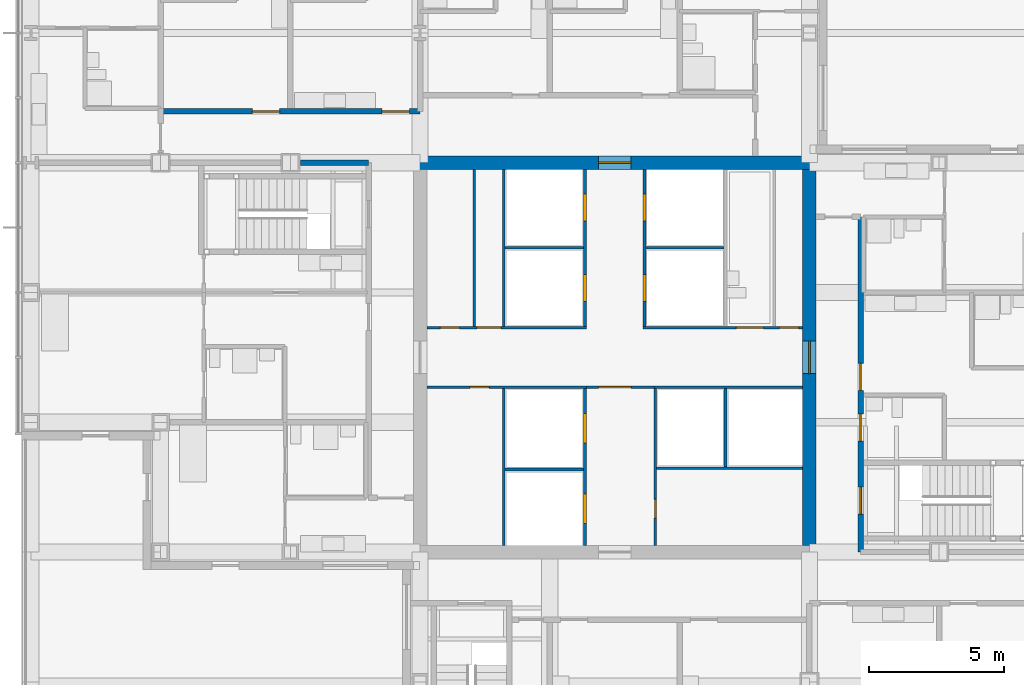
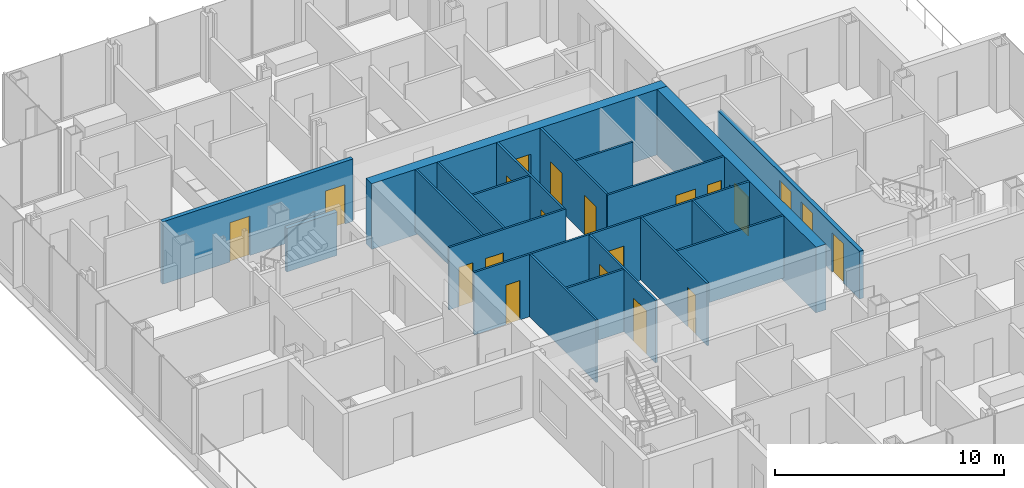
# One storey, part 13 of 19: 22 walls, 20 doors, 20 openings.
"""IFC4 building model written with IfcOpenShell, lengths in metres."""

from ifc_helpers import new_model, si_unit, direction, frame, frame_2d, origin, place, context, subcontext, project, spatial, rectangle, extrude, material, layer, layer_set, type_object, element, fill, save


model = new_model("IFC4")

# Units and contexts
model_context = context("Model", 3, precision=1e-05, world=origin(), true_north=direction((0.0, 1.0)))
body_context = subcontext(model_context, "Body", "Model", "MODEL_VIEW")
ifc_project = project(units=[si_unit("LENGTHUNIT", "METRE"), si_unit("AREAUNIT", "SQUARE_METRE"), si_unit("VOLUMEUNIT", "CUBIC_METRE"), si_unit("PLANEANGLEUNIT", "RADIAN"), si_unit("MASSUNIT", "GRAM", prefix="KILO")], contexts=[model_context])

# Site, building, storey
site_placement = place(None, origin())
site = spatial("IfcSite", under=ifc_project, at=site_placement, CompositionType="ELEMENT")
building_placement = place(site_placement, origin())
building = spatial("IfcBuilding", under=site, at=building_placement, Name="Kvirike Care Tower", CompositionType="ELEMENT")
storey_placement = place(building_placement, frame((0.0, 0.0, 84.0)))
storey = spatial("IfcBuildingStorey", under=building, at=storey_placement, Name="L22", CompositionType="ELEMENT", Elevation=84.0)

# Wall, opening, door
ifc_material_1 = material(Name="Concrete C50/60", Category="concrete")
ifc_layer_1 = layer(ifc_material_1, 0.5)
ifc_layer_set_1 = layer_set([ifc_layer_1], Name="CORE WALL 500 C50-60")
wall_type_1 = type_object("IfcWallType", Name="CORE WALL 500 C50-60", PredefinedType="SHEAR", material=ifc_layer_set_1)
wall_1_placement = place(storey_placement, frame((29.050048828125, 43.199951171875, -0.169921875), z_axis=(0.0, 0.0, 1.0), x_axis=(-1.0, 0.0, 0.0)))
wall_1 = element("IfcWall", 1, at=wall_1_placement, inside=storey, type_object=wall_type_1, Name="Core wall N L22", PredefinedType="SHEAR", context=body_context, shape_type="SweptSolid", body=[
    extrude(rectangle(XDim=14.900146484375, YDim=0.5, at=frame_2d((7.4501953125, 0.0))), origin(), (0.0, 0.0, 1.0), 3.5),
])
opening_1_placement = place(wall_1_placement, frame((6.85009765625, 0.0, 0.169921875)))
opening_1 = element("IfcOpeningElement", 2, at=opening_1_placement, cuts=wall_1, Name="Opening 22-070", PredefinedType="OPENING", context=body_context, shape_type="SweptSolid", body=[
    extrude(rectangle(XDim=1.199951171875, YDim=2.10009765625, at=frame_2d((0.60009765625, 1.050048828125))), frame((0.0, 0.260498046875, 0.0), z_axis=(0.0, -1.0, 0.0), x_axis=(1.0, 0.0, 0.0)), (0.0, 0.0, 1.0), 0.52099609375),
])
ifc_material_2 = material(Name="Timber door set", Category="wood")
door_type_1 = type_object("IfcDoorType", Name="CORE DOOR 1200", OperationType="SINGLE_SWING_LEFT", PredefinedType="DOOR", material=ifc_material_2)
door_1_placement = place(opening_1_placement, origin())
door_1 = element("IfcDoor", 3, at=door_1_placement, inside=storey, type_object=door_type_1, Name="Core door N L22", OperationType="SINGLE_SWING_LEFT", OverallHeight=2.10009765625, OverallWidth=1.199951171875, PredefinedType="DOOR", context=body_context, shape_type="SweptSolid", body=[
    extrude(rectangle(XDim=1.199951171875, YDim=2.10009765625, at=frame_2d((0.60009765625, 1.050048828125))), frame((0.0, 0.02685546875, 0.0), z_axis=(0.0, -1.0, 0.0), x_axis=(1.0, 0.0, 0.0)), (0.0, 0.0, 1.0), 0.053955078125),
])
fill(opening_1, door_1)

wall_2_placement = place(storey_placement, frame((28.800048828125, 29.050048828125, -0.169921875), z_axis=(0.0, 0.0, 1.0), x_axis=(0.0, 1.0, 0.0)))
wall_2 = element("IfcWall", 4, at=wall_2_placement, inside=storey, type_object=wall_type_1, Name="Core wall E L22", PredefinedType="SHEAR", context=body_context, shape_type="SweptSolid", body=[
    extrude(rectangle(XDim=13.89990234375, YDim=0.5, at=frame_2d((6.949951171875, 0.0))), origin(), (0.0, 0.0, 1.0), 3.5),
])
opening_2_placement = place(wall_2_placement, frame((6.35009765625, 0.0, 0.169921875)))
opening_2 = element("IfcOpeningElement", 5, at=opening_2_placement, cuts=wall_2, Name="Opening 22-069", PredefinedType="OPENING", context=body_context, shape_type="SweptSolid", body=[
    extrude(rectangle(XDim=1.199951171875, YDim=2.10009765625, at=frame_2d((0.60009765625, 1.050048828125))), frame((0.0, 0.260498046875, 0.0), z_axis=(0.0, -1.0, 0.0), x_axis=(1.0, 0.0, 0.0)), (0.0, 0.0, 1.0), 0.52099609375),
])
door_2_placement = place(opening_2_placement, origin())
door_2 = element("IfcDoor", 6, at=door_2_placement, inside=storey, type_object=door_type_1, Name="Core door E L22", OperationType="SINGLE_SWING_LEFT", OverallHeight=2.10009765625, OverallWidth=1.199951171875, PredefinedType="DOOR", context=body_context, shape_type="SweptSolid", body=[
    extrude(rectangle(XDim=1.199951171875, YDim=2.10009765625, at=frame_2d((0.60009765625, 1.050048828125))), frame((0.0, 0.02685546875, 0.0), z_axis=(0.0, -1.0, 0.0), x_axis=(1.0, 0.0, 0.0)), (0.0, 0.0, 1.0), 0.053955078125),
])
fill(opening_2, door_2)

# Wall, openings, doors
ifc_material_3 = material(Name="Plasterboard corridor wall", Category="gypsum")
ifc_layer_2 = layer(ifc_material_3, 0.199951171875)
ifc_layer_set_2 = layer_set([ifc_layer_2], Name="CORRIDOR WALL 200")
wall_type_2 = type_object("IfcWallType", Name="CORRIDOR WALL 200", PredefinedType="PARTITIONING", material=ifc_layer_set_2)
wall_3_placement = place(storey_placement, frame((14.39990234375, 45.10009765625, 0.0), z_axis=(0.0, 0.0, 1.0), x_axis=(-1.0, 0.0, 0.0)))
wall_3 = element("IfcWall", 7, at=wall_3_placement, inside=storey, type_object=wall_type_2, Name="Corridor Wall 200 L22", PredefinedType="PARTITIONING", context=body_context, shape_type="SweptSolid", body=[
    extrude(rectangle(XDim=9.599853515625, YDim=0.199951171875, at=frame_2d((4.7998046875, 0.0))), origin(), (0.0, 0.0, 1.0), 3.330078125),
])
opening_3_placement = place(wall_3_placement, frame((0.39990234375, 0.0, 0.0)))
opening_3 = element("IfcOpeningElement", 8, at=opening_3_placement, cuts=wall_3, Name="Opening 22-015", PredefinedType="OPENING", context=body_context, shape_type="SweptSolid", body=[
    extrude(rectangle(XDim=1.0, YDim=2.10009765625, at=frame_2d((0.5, 1.050048828125))), frame((0.0, 0.110595703125, 0.0), z_axis=(0.0, -1.0, 0.0), x_axis=(1.0, 0.0, 0.0)), (0.0, 0.0, 1.0), 0.220947265625),
])
opening_4_placement = place(wall_3_placement, frame((5.199951171875, 0.0, 0.0)))
opening_4 = element("IfcOpeningElement", 9, at=opening_4_placement, cuts=wall_3, Name="Opening 22-016", PredefinedType="OPENING", context=body_context, shape_type="SweptSolid", body=[
    extrude(rectangle(XDim=1.0, YDim=2.10009765625, at=frame_2d((0.5, 1.050048828125))), frame((0.0, 0.110595703125, 0.0), z_axis=(0.0, -1.0, 0.0), x_axis=(1.0, 0.0, 0.0)), (0.0, 0.0, 1.0), 0.220947265625),
])
ifc_material_4 = material(Name="Timber door set", Category="wood")
door_type_2 = type_object("IfcDoorType", Name="FLAT ENTRANCE DOOR 1000", OperationType="SINGLE_SWING_LEFT", PredefinedType="DOOR", material=ifc_material_4)
door_3_placement = place(opening_3_placement, frame((1.0, 0.0, 0.0), z_axis=(0.0, 0.0, 1.0), x_axis=(-1.0, 0.0, 0.0)))
door_3 = element("IfcDoor", 10, at=door_3_placement, inside=storey, type_object=door_type_2, Name="Assisted living suite entrance", OperationType="SINGLE_SWING_LEFT", OverallHeight=2.10009765625, OverallWidth=1.0, PredefinedType="DOOR", context=body_context, shape_type="SweptSolid", body=[
    extrude(rectangle(XDim=1.0, YDim=2.10009765625, at=frame_2d((0.5, 1.050048828125))), frame((0.0, 0.02685546875, 0.0), z_axis=(0.0, -1.0, 0.0), x_axis=(1.0, 0.0, 0.0)), (0.0, 0.0, 1.0), 0.053955078125),
])
fill(opening_3, door_3)
door_4_placement = place(opening_4_placement, frame((1.0, 0.0, 0.0), z_axis=(0.0, 0.0, 1.0), x_axis=(-1.0, 0.0, 0.0)))
door_4 = element("IfcDoor", 11, at=door_4_placement, inside=storey, type_object=door_type_2, Name="Assisted living suite entrance", OperationType="SINGLE_SWING_LEFT", OverallHeight=2.10009765625, OverallWidth=1.0, PredefinedType="DOOR", context=body_context, shape_type="SweptSolid", body=[
    extrude(rectangle(XDim=1.0, YDim=2.10009765625, at=frame_2d((0.5, 1.050048828125))), frame((0.0, 0.02685546875, 0.0), z_axis=(0.0, -1.0, 0.0), x_axis=(1.0, 0.0, 0.0)), (0.0, 0.0, 1.0), 0.053955078125),
])
fill(opening_4, door_4)

wall_4_placement = place(storey_placement, frame((30.699951171875, 28.800048828125, 0.0), z_axis=(0.0, 0.0, 1.0), x_axis=(0.0, 1.0, 0.0)))
wall_4 = element("IfcWall", 12, at=wall_4_placement, inside=storey, type_object=wall_type_2, Name="Corridor Wall 200 L22", PredefinedType="PARTITIONING", context=body_context, shape_type="SweptSolid", body=[
    extrude(rectangle(XDim=12.39990234375, YDim=0.199951171875, at=frame_2d((6.199951171875, 0.0))), origin(), (0.0, 0.0, 1.0), 2.550048828125),
])
opening_5_placement = place(wall_4_placement, frame((1.39990234375, 0.0, 0.0)))
opening_5 = element("IfcOpeningElement", 13, at=opening_5_placement, cuts=wall_4, Name="Opening 22-048", PredefinedType="OPENING", context=body_context, shape_type="SweptSolid", body=[
    extrude(rectangle(XDim=1.0, YDim=2.10009765625, at=frame_2d((0.5, 1.050048828125))), frame((0.0, 0.110595703125, 0.0), z_axis=(0.0, -1.0, 0.0), x_axis=(1.0, 0.0, 0.0)), (0.0, 0.0, 1.0), 0.220947265625),
])
opening_6_placement = place(wall_4_placement, frame((4.10009765625, 0.0, 0.0)))
opening_6 = element("IfcOpeningElement", 14, at=opening_6_placement, cuts=wall_4, Name="Opening 22-049", PredefinedType="OPENING", context=body_context, shape_type="SweptSolid", body=[
    extrude(rectangle(XDim=1.0, YDim=2.10009765625, at=frame_2d((0.5, 1.050048828125))), frame((0.0, 0.110595703125, 0.0), z_axis=(0.0, -1.0, 0.0), x_axis=(1.0, 0.0, 0.0)), (0.0, 0.0, 1.0), 0.220947265625),
])
opening_7_placement = place(wall_4_placement, frame((5.97509765625, 0.0, 0.0)))
opening_7 = element("IfcOpeningElement", 15, at=opening_7_placement, cuts=wall_4, Name="Opening 22-050", PredefinedType="OPENING", context=body_context, shape_type="SweptSolid", body=[
    extrude(rectangle(XDim=1.0, YDim=2.10009765625, at=frame_2d((0.5, 1.050048828125))), frame((0.0, 0.110595703125, 0.0), z_axis=(0.0, -1.0, 0.0), x_axis=(1.0, 0.0, 0.0)), (0.0, 0.0, 1.0), 0.220947265625),
])
door_5_placement = place(opening_7_placement, frame((1.0, 0.0, 0.0), z_axis=(0.0, 0.0, 1.0), x_axis=(-1.0, 0.0, 0.0)))
door_5 = element("IfcDoor", 16, at=door_5_placement, inside=storey, type_object=door_type_2, Name="Assisted living suite entrance", OperationType="SINGLE_SWING_LEFT", OverallHeight=2.10009765625, OverallWidth=1.0, PredefinedType="DOOR", context=body_context, shape_type="SweptSolid", body=[
    extrude(rectangle(XDim=1.0, YDim=2.10009765625, at=frame_2d((0.5, 1.050048828125))), frame((0.0, 0.02685546875, 0.0), z_axis=(0.0, -1.0, 0.0), x_axis=(1.0, 0.0, 0.0)), (0.0, 0.0, 1.0), 0.053955078125),
])
fill(opening_7, door_5)
ifc_material_5 = material(Name="Timber door set", Category="wood")
door_type_3 = type_object("IfcDoorType", Name="STAIR DOOR 1000", OperationType="SINGLE_SWING_LEFT", PredefinedType="DOOR", material=ifc_material_5)
door_6_placement = place(opening_5_placement, frame((1.0, 0.0, 0.0), z_axis=(0.0, 0.0, 1.0), x_axis=(-1.0, 0.0, 0.0)))
door_6 = element("IfcDoor", 17, at=door_6_placement, inside=storey, type_object=door_type_3, Name="Stair 2 door", OperationType="SINGLE_SWING_LEFT", OverallHeight=2.10009765625, OverallWidth=1.0, PredefinedType="DOOR", context=body_context, shape_type="SweptSolid", body=[
    extrude(rectangle(XDim=1.0, YDim=2.10009765625, at=frame_2d((0.5, 1.050048828125))), frame((0.0, 0.031982421875, 0.0), z_axis=(0.0, -1.0, 0.0), x_axis=(1.0, 0.0, 0.0)), (0.0, 0.0, 1.0), 0.06396484375),
])
fill(opening_5, door_6)
ifc_material_6 = material(Name="Timber door set", Category="wood")
door_type_4 = type_object("IfcDoorType", Name="WC DOOR 1000", OperationType="SINGLE_SWING_LEFT", PredefinedType="DOOR", material=ifc_material_6)
door_7_placement = place(opening_6_placement, frame((1.0, 0.0, 0.0), z_axis=(0.0, 0.0, 1.0), x_axis=(-1.0, 0.0, 0.0)))
door_7 = element("IfcDoor", 18, at=door_7_placement, inside=storey, type_object=door_type_4, Name="Accessible WC door", OperationType="SINGLE_SWING_LEFT", OverallHeight=2.10009765625, OverallWidth=1.0, PredefinedType="DOOR", context=body_context, shape_type="SweptSolid", body=[
    extrude(rectangle(XDim=1.0, YDim=2.10009765625, at=frame_2d((0.5, 1.050048828125))), frame((0.0, 0.02685546875, 0.0), z_axis=(0.0, -1.0, 0.0), x_axis=(1.0, 0.0, 0.0)), (0.0, 0.0, 1.0), 0.053955078125),
])
fill(opening_6, door_7)

# Walls
ifc_material_7 = material(Name="Plasterboard party wall", Category="gypsum")
ifc_layer_3 = layer(ifc_material_7, 0.199951171875)
ifc_layer_set_3 = layer_set([ifc_layer_3], Name="PARTY WALL 200")
wall_type_3 = type_object("IfcWallType", Name="PARTY WALL 200", PredefinedType="PARTITIONING", material=ifc_layer_set_3)
wall_5_placement = place(storey_placement, frame((12.5, 43.199951171875, 0.0), z_axis=(0.0, 0.0, 1.0), x_axis=(-1.0, 0.0, 0.0)))
element("IfcWall", 19, at=wall_5_placement, inside=storey, type_object=wall_type_3, Name="Party Wall 200 L22", PredefinedType="PARTITIONING", context=body_context, shape_type="SweptSolid", body=[
    extrude(rectangle(XDim=2.530029296875, YDim=0.199951171875, at=frame_2d((1.26513671875, 0.0))), origin(), (0.0, 0.0, 1.0), 2.320068359375),
])
ifc_material_8 = material(Name="Gypsum shaft wall system", Category="gypsum")
ifc_layer_4 = layer(ifc_material_8, 0.10009765625)
ifc_layer_set_4 = layer_set([ifc_layer_4], Name="SHAFT WALL 100")
wall_type_4 = type_object("IfcWallType", Name="SHAFT WALL 100", PredefinedType="SOLIDWALL", material=ifc_layer_set_4)
wall_6_placement = place(storey_placement, frame((16.39990234375, 37.14990234375, 0.0), z_axis=(0.0, 0.0, 1.0), x_axis=(0.0, 1.0, 0.0)))
element("IfcWall", 20, at=wall_6_placement, inside=storey, type_object=wall_type_4, Name="Shaft Wall 100 L22", PredefinedType="SOLIDWALL", context=body_context, shape_type="SweptSolid", body=[
    extrude(rectangle(XDim=5.800048828125, YDim=0.10009765625, at=frame_2d((2.89990234375, 0.0))), origin(), (0.0, 0.0, 1.0), 3.330078125),
])

# Wall, openings, doors
wall_7_placement = place(storey_placement, frame((20.5, 29.050048828125, 0.0), z_axis=(0.0, 0.0, 1.0), x_axis=(0.0, 1.0, 0.0)))
wall_7 = element("IfcWall", 21, at=wall_7_placement, inside=storey, type_object=wall_type_4, Name="Shaft Wall 100 L22", PredefinedType="SOLIDWALL", context=body_context, shape_type="SweptSolid", body=[
    extrude(rectangle(XDim=5.800048828125, YDim=0.10009765625, at=frame_2d((2.89990234375, 0.0))), origin(), (0.0, 0.0, 1.0), 3.330078125),
])
opening_8_placement = place(wall_7_placement, frame((0.800048828125, 0.0, 0.0)))
opening_8 = element("IfcOpeningElement", 22, at=opening_8_placement, cuts=wall_7, Name="Opening 22-051", PredefinedType="OPENING", context=body_context, shape_type="SweptSolid", body=[
    extrude(rectangle(XDim=1.10009765625, YDim=2.300048828125, at=frame_2d((0.550048828125, 1.14990234375))), frame((0.0, 0.060546875, 0.0), z_axis=(0.0, -1.0, 0.0), x_axis=(1.0, 0.0, 0.0)), (0.0, 0.0, 1.0), 0.12109375),
])
opening_9_placement = place(wall_7_placement, frame((3.77490234375, 0.0, 0.0)))
opening_9 = element("IfcOpeningElement", 23, at=opening_9_placement, cuts=wall_7, Name="Opening 22-052", PredefinedType="OPENING", context=body_context, shape_type="SweptSolid", body=[
    extrude(rectangle(XDim=1.10009765625, YDim=2.300048828125, at=frame_2d((0.550048828125, 1.14990234375))), frame((0.0, 0.060546875, 0.0), z_axis=(0.0, -1.0, 0.0), x_axis=(1.0, 0.0, 0.0)), (0.0, 0.0, 1.0), 0.12109375),
])
ifc_material_9 = material(Name="Aluminium door frame", Category="aluminium")
door_type_5 = type_object("IfcDoorType", Name="FIRE-FIGHTING LIFT LANDING DOOR 1100", OperationType="SLIDING_TO_LEFT", PredefinedType="DOOR", material=ifc_material_9)
door_8_placement = place(opening_8_placement, origin())
door_8 = element("IfcDoor", 24, at=door_8_placement, inside=storey, type_object=door_type_5, Name="Lift FF1 landing door", OperationType="SLIDING_TO_LEFT", OverallHeight=2.300048828125, OverallWidth=1.10009765625, PredefinedType="DOOR", context=body_context, shape_type="SweptSolid", body=[
    extrude(rectangle(XDim=1.10009765625, YDim=2.300048828125, at=frame_2d((0.550048828125, 1.14990234375))), frame((0.0, 0.0498046875, 0.0), z_axis=(0.0, -1.0, 0.0), x_axis=(1.0, 0.0, 0.0)), (0.0, 0.0, 1.0), 0.099609375),
])
fill(opening_8, door_8)
door_9_placement = place(opening_9_placement, origin())
door_9 = element("IfcDoor", 25, at=door_9_placement, inside=storey, type_object=door_type_5, Name="Lift FF2 landing door", OperationType="SLIDING_TO_LEFT", OverallHeight=2.300048828125, OverallWidth=1.10009765625, PredefinedType="DOOR", context=body_context, shape_type="SweptSolid", body=[
    extrude(rectangle(XDim=1.10009765625, YDim=2.300048828125, at=frame_2d((0.550048828125, 1.14990234375))), frame((0.0, 0.0498046875, 0.0), z_axis=(0.0, -1.0, 0.0), x_axis=(1.0, 0.0, 0.0)), (0.0, 0.0, 1.0), 0.099609375),
])
fill(opening_9, door_9)

wall_8_placement = place(storey_placement, frame((20.5, 37.14990234375, 0.0), z_axis=(0.0, 0.0, 1.0), x_axis=(0.0, 1.0, 0.0)))
wall_8 = element("IfcWall", 26, at=wall_8_placement, inside=storey, type_object=wall_type_4, Name="Shaft Wall 100 L22", PredefinedType="SOLIDWALL", context=body_context, shape_type="SweptSolid", body=[
    extrude(rectangle(XDim=5.800048828125, YDim=0.10009765625, at=frame_2d((2.89990234375, 0.0))), origin(), (0.0, 0.0, 1.0), 3.330078125),
])
opening_10_placement = place(wall_8_placement, frame((0.925048828125, 0.0, 0.0)))
opening_10 = element("IfcOpeningElement", 27, at=opening_10_placement, cuts=wall_8, Name="Opening 22-053", PredefinedType="OPENING", context=body_context, shape_type="SweptSolid", body=[
    extrude(rectangle(XDim=1.0, YDim=2.10009765625, at=frame_2d((0.5, 1.050048828125))), frame((0.0, 0.060546875, 0.0), z_axis=(0.0, -1.0, 0.0), x_axis=(1.0, 0.0, 0.0)), (0.0, 0.0, 1.0), 0.12109375),
])
opening_11_placement = place(wall_8_placement, frame((3.89990234375, 0.0, 0.0)))
opening_11 = element("IfcOpeningElement", 28, at=opening_11_placement, cuts=wall_8, Name="Opening 22-054", PredefinedType="OPENING", context=body_context, shape_type="SweptSolid", body=[
    extrude(rectangle(XDim=1.0, YDim=2.10009765625, at=frame_2d((0.5, 1.050048828125))), frame((0.0, 0.060546875, 0.0), z_axis=(0.0, -1.0, 0.0), x_axis=(1.0, 0.0, 0.0)), (0.0, 0.0, 1.0), 0.12109375),
])
ifc_material_10 = material(Name="Aluminium door frame", Category="aluminium")
door_type_6 = type_object("IfcDoorType", Name="LIFT LANDING DOOR 1000", OperationType="SLIDING_TO_LEFT", PredefinedType="DOOR", material=ifc_material_10)
door_10_placement = place(opening_10_placement, origin())
door_10 = element("IfcDoor", 29, at=door_10_placement, inside=storey, type_object=door_type_6, Name="Lift P1 landing door", OperationType="SLIDING_TO_LEFT", OverallHeight=2.10009765625, OverallWidth=1.0, PredefinedType="DOOR", context=body_context, shape_type="SweptSolid", body=[
    extrude(rectangle(XDim=1.0, YDim=2.10009765625, at=frame_2d((0.5, 1.050048828125))), frame((0.0, 0.0498046875, 0.0), z_axis=(0.0, -1.0, 0.0), x_axis=(1.0, 0.0, 0.0)), (0.0, 0.0, 1.0), 0.099609375),
])
fill(opening_10, door_10)
door_11_placement = place(opening_11_placement, origin())
door_11 = element("IfcDoor", 30, at=door_11_placement, inside=storey, type_object=door_type_6, Name="Lift P2 landing door", OperationType="SLIDING_TO_LEFT", OverallHeight=2.10009765625, OverallWidth=1.0, PredefinedType="DOOR", context=body_context, shape_type="SweptSolid", body=[
    extrude(rectangle(XDim=1.0, YDim=2.10009765625, at=frame_2d((0.5, 1.050048828125))), frame((0.0, 0.0498046875, 0.0), z_axis=(0.0, -1.0, 0.0), x_axis=(1.0, 0.0, 0.0)), (0.0, 0.0, 1.0), 0.099609375),
])
fill(opening_11, door_11)

wall_9_placement = place(storey_placement, frame((22.699951171875, 37.14990234375, 0.0), z_axis=(0.0, 0.0, 1.0), x_axis=(0.0, 1.0, 0.0)))
wall_9 = element("IfcWall", 31, at=wall_9_placement, inside=storey, type_object=wall_type_4, Name="Shaft Wall 100 L22", PredefinedType="SOLIDWALL", context=body_context, shape_type="SweptSolid", body=[
    extrude(rectangle(XDim=5.800048828125, YDim=0.10009765625, at=frame_2d((2.89990234375, 0.0))), origin(), (0.0, 0.0, 1.0), 3.330078125),
])
opening_12_placement = place(wall_9_placement, frame((0.925048828125, 0.0, 0.0)))
opening_12 = element("IfcOpeningElement", 32, at=opening_12_placement, cuts=wall_9, Name="Opening 22-055", PredefinedType="OPENING", context=body_context, shape_type="SweptSolid", body=[
    extrude(rectangle(XDim=1.0, YDim=2.10009765625, at=frame_2d((0.5, 1.050048828125))), frame((0.0, 0.060546875, 0.0), z_axis=(0.0, -1.0, 0.0), x_axis=(1.0, 0.0, 0.0)), (0.0, 0.0, 1.0), 0.12109375),
])
opening_13_placement = place(wall_9_placement, frame((3.89990234375, 0.0, 0.0)))
opening_13 = element("IfcOpeningElement", 33, at=opening_13_placement, cuts=wall_9, Name="Opening 22-056", PredefinedType="OPENING", context=body_context, shape_type="SweptSolid", body=[
    extrude(rectangle(XDim=1.0, YDim=2.10009765625, at=frame_2d((0.5, 1.050048828125))), frame((0.0, 0.060546875, 0.0), z_axis=(0.0, -1.0, 0.0), x_axis=(1.0, 0.0, 0.0)), (0.0, 0.0, 1.0), 0.12109375),
])
door_12_placement = place(opening_12_placement, origin())
door_12 = element("IfcDoor", 34, at=door_12_placement, inside=storey, type_object=door_type_6, Name="Lift P3 landing door", OperationType="SLIDING_TO_LEFT", OverallHeight=2.10009765625, OverallWidth=1.0, PredefinedType="DOOR", context=body_context, shape_type="SweptSolid", body=[
    extrude(rectangle(XDim=1.0, YDim=2.10009765625, at=frame_2d((0.5, 1.050048828125))), frame((0.0, 0.0498046875, 0.0), z_axis=(0.0, -1.0, 0.0), x_axis=(1.0, 0.0, 0.0)), (0.0, 0.0, 1.0), 0.099609375),
])
fill(opening_12, door_12)
door_13_placement = place(opening_13_placement, origin())
door_13 = element("IfcDoor", 35, at=door_13_placement, inside=storey, type_object=door_type_6, Name="Lift P4 landing door", OperationType="SLIDING_TO_LEFT", OverallHeight=2.10009765625, OverallWidth=1.0, PredefinedType="DOOR", context=body_context, shape_type="SweptSolid", body=[
    extrude(rectangle(XDim=1.0, YDim=2.10009765625, at=frame_2d((0.5, 1.050048828125))), frame((0.0, 0.0498046875, 0.0), z_axis=(0.0, -1.0, 0.0), x_axis=(1.0, 0.0, 0.0)), (0.0, 0.0, 1.0), 0.099609375),
])
fill(opening_13, door_13)

# Wall, opening, door
wall_10_placement = place(storey_placement, frame((23.10009765625, 29.050048828125, 0.0), z_axis=(0.0, 0.0, 1.0), x_axis=(0.0, 1.0, 0.0)))
wall_10 = element("IfcWall", 36, at=wall_10_placement, inside=storey, type_object=wall_type_4, Name="Shaft Wall 100 L22", PredefinedType="SOLIDWALL", context=body_context, shape_type="SweptSolid", body=[
    extrude(rectangle(XDim=5.800048828125, YDim=0.10009765625, at=frame_2d((2.89990234375, 0.0))), origin(), (0.0, 0.0, 1.0), 3.330078125),
])
opening_14_placement = place(wall_10_placement, frame((1.0, 0.0, 0.0)))
opening_14 = element("IfcOpeningElement", 37, at=opening_14_placement, cuts=wall_10, Name="Opening 22-057", PredefinedType="OPENING", context=body_context, shape_type="SweptSolid", body=[
    extrude(rectangle(XDim=0.699951171875, YDim=2.10009765625, at=frame_2d((0.35009765625, 1.050048828125))), frame((0.0, 0.060546875, 0.0), z_axis=(0.0, -1.0, 0.0), x_axis=(1.0, 0.0, 0.0)), (0.0, 0.0, 1.0), 0.12109375),
])
ifc_material_11 = material(Name="Timber door set", Category="wood")
door_type_7 = type_object("IfcDoorType", Name="RISER DOOR 700", OperationType="SINGLE_SWING_LEFT", PredefinedType="DOOR", material=ifc_material_11)
door_14_placement = place(opening_14_placement, origin())
door_14 = element("IfcDoor", 38, at=door_14_placement, inside=storey, type_object=door_type_7, Name="Riser door", OperationType="SINGLE_SWING_RIGHT", OverallHeight=2.10009765625, OverallWidth=0.699951171875, PredefinedType="DOOR", context=body_context, shape_type="SweptSolid", body=[
    extrude(rectangle(XDim=0.699951171875, YDim=2.10009765625, at=frame_2d((0.35009765625, 1.050048828125))), frame((0.0, 0.02685546875, 0.0), z_axis=(0.0, -1.0, 0.0), x_axis=(1.0, 0.0, 0.0)), (0.0, 0.0, 1.0), 0.053955078125),
])
fill(opening_14, door_14)

wall_11_placement = place(storey_placement, frame((14.64990234375, 34.89990234375, 0.0), z_axis=(0.0, 0.0, 1.0), x_axis=(1.0, 0.0, 0.0)))
wall_11 = element("IfcWall", 39, at=wall_11_placement, inside=storey, type_object=wall_type_4, Name="Shaft Wall 100 L22", PredefinedType="SOLIDWALL", context=body_context, shape_type="SweptSolid", body=[
    extrude(rectangle(XDim=5.900146484375, YDim=0.10009765625, at=frame_2d((2.9501953125, 0.0))), origin(), (0.0, 0.0, 1.0), 3.330078125),
])
opening_15_placement = place(wall_11_placement, frame((1.60009765625, 0.0, 0.0)))
opening_15 = element("IfcOpeningElement", 40, at=opening_15_placement, cuts=wall_11, Name="Opening 22-058", PredefinedType="OPENING", context=body_context, shape_type="SweptSolid", body=[
    extrude(rectangle(XDim=0.699951171875, YDim=2.10009765625, at=frame_2d((0.35009765625, 1.050048828125))), frame((0.0, 0.060546875, 0.0), z_axis=(0.0, -1.0, 0.0), x_axis=(1.0, 0.0, 0.0)), (0.0, 0.0, 1.0), 0.12109375),
])
door_15_placement = place(opening_15_placement, frame((0.699951171875, 0.0, 0.0), z_axis=(0.0, 0.0, 1.0), x_axis=(-1.0, 0.0, 0.0)))
door_15 = element("IfcDoor", 41, at=door_15_placement, inside=storey, type_object=door_type_7, Name="Riser door", OperationType="SINGLE_SWING_RIGHT", OverallHeight=2.10009765625, OverallWidth=0.699951171875, PredefinedType="DOOR", context=body_context, shape_type="SweptSolid", body=[
    extrude(rectangle(XDim=0.699951171875, YDim=2.10009765625, at=frame_2d((0.35009765625, 1.050048828125))), frame((0.0, 0.02685546875, 0.0), z_axis=(0.0, -1.0, 0.0), x_axis=(1.0, 0.0, 0.0)), (0.0, 0.0, 1.0), 0.053955078125),
])
fill(opening_15, door_15)

# Wall
wall_12_placement = place(storey_placement, frame((23.050048828125, 34.89990234375, 0.0), z_axis=(0.0, 0.0, 1.0), x_axis=(1.0, 0.0, 0.0)))
element("IfcWall", 42, at=wall_12_placement, inside=storey, type_object=wall_type_4, Name="Shaft Wall 100 L22", PredefinedType="SOLIDWALL", context=body_context, shape_type="SweptSolid", body=[
    extrude(rectangle(XDim=5.5, YDim=0.10009765625, at=frame_2d((2.75, 0.0))), origin(), (0.0, 0.0, 1.0), 3.330078125),
])

# Wall, openings, doors
wall_13_placement = place(storey_placement, frame((14.64990234375, 37.10009765625, 0.0), z_axis=(0.0, 0.0, 1.0), x_axis=(1.0, 0.0, 0.0)))
wall_13 = element("IfcWall", 43, at=wall_13_placement, inside=storey, type_object=wall_type_4, Name="Shaft Wall 100 L22", PredefinedType="SOLIDWALL", context=body_context, shape_type="SweptSolid", body=[
    extrude(rectangle(XDim=5.900146484375, YDim=0.10009765625, at=frame_2d((2.9501953125, 0.0))), origin(), (0.0, 0.0, 1.0), 3.330078125),
])
opening_16_placement = place(wall_13_placement, frame((0.5, 0.0, 0.0)))
opening_16 = element("IfcOpeningElement", 44, at=opening_16_placement, cuts=wall_13, Name="Opening 22-059", PredefinedType="OPENING", context=body_context, shape_type="SweptSolid", body=[
    extrude(rectangle(XDim=0.699951171875, YDim=2.10009765625, at=frame_2d((0.35009765625, 1.050048828125))), frame((0.0, 0.060546875, 0.0), z_axis=(0.0, -1.0, 0.0), x_axis=(1.0, 0.0, 0.0)), (0.0, 0.0, 1.0), 0.12109375),
])
opening_17_placement = place(wall_13_placement, frame((1.85009765625, 0.0, 0.0)))
opening_17 = element("IfcOpeningElement", 45, at=opening_17_placement, cuts=wall_13, Name="Opening 22-060", PredefinedType="OPENING", context=body_context, shape_type="SweptSolid", body=[
    extrude(rectangle(XDim=0.89990234375, YDim=2.10009765625, at=frame_2d((0.449951171875, 1.050048828125))), frame((0.0, 0.060546875, 0.0), z_axis=(0.0, -1.0, 0.0), x_axis=(1.0, 0.0, 0.0)), (0.0, 0.0, 1.0), 0.12109375),
])
door_16_placement = place(opening_16_placement, origin())
door_16 = element("IfcDoor", 46, at=door_16_placement, inside=storey, type_object=door_type_7, Name="Riser door", OperationType="SINGLE_SWING_RIGHT", OverallHeight=2.10009765625, OverallWidth=0.699951171875, PredefinedType="DOOR", context=body_context, shape_type="SweptSolid", body=[
    extrude(rectangle(XDim=0.699951171875, YDim=2.10009765625, at=frame_2d((0.35009765625, 1.050048828125))), frame((0.0, 0.02685546875, 0.0), z_axis=(0.0, -1.0, 0.0), x_axis=(1.0, 0.0, 0.0)), (0.0, 0.0, 1.0), 0.053955078125),
])
fill(opening_16, door_16)
ifc_material_12 = material(Name="Timber door set", Category="wood")
door_type_8 = type_object("IfcDoorType", Name="STORE DOOR 900", OperationType="SINGLE_SWING_LEFT", PredefinedType="DOOR", material=ifc_material_12)
door_17_placement = place(opening_17_placement, origin())
door_17 = element("IfcDoor", 47, at=door_17_placement, inside=storey, type_object=door_type_8, Name="Housekeeping store door", OperationType="SINGLE_SWING_RIGHT", OverallHeight=2.10009765625, OverallWidth=0.89990234375, PredefinedType="DOOR", context=body_context, shape_type="SweptSolid", body=[
    extrude(rectangle(XDim=0.89990234375, YDim=2.10009765625, at=frame_2d((0.449951171875, 1.050048828125))), frame((0.0, 0.02685546875, 0.0), z_axis=(0.0, -1.0, 0.0), x_axis=(1.0, 0.0, 0.0)), (0.0, 0.0, 1.0), 0.053955078125),
])
fill(opening_17, door_17)

wall_14_placement = place(storey_placement, frame((22.64990234375, 37.10009765625, 0.0), z_axis=(0.0, 0.0, 1.0), x_axis=(1.0, 0.0, 0.0)))
wall_14 = element("IfcWall", 48, at=wall_14_placement, inside=storey, type_object=wall_type_4, Name="Shaft Wall 100 L22", PredefinedType="SOLIDWALL", context=body_context, shape_type="SweptSolid", body=[
    extrude(rectangle(XDim=5.900146484375, YDim=0.10009765625, at=frame_2d((2.9501953125, 0.0))), origin(), (0.0, 0.0, 1.0), 3.330078125),
])
opening_18_placement = place(wall_14_placement, frame((3.449951171875, 0.0, 0.0)))
opening_18 = element("IfcOpeningElement", 49, at=opening_18_placement, cuts=wall_14, Name="Opening 22-061", PredefinedType="OPENING", context=body_context, shape_type="SweptSolid", body=[
    extrude(rectangle(XDim=1.0, YDim=2.10009765625, at=frame_2d((0.5, 1.050048828125))), frame((0.0, 0.060546875, 0.0), z_axis=(0.0, -1.0, 0.0), x_axis=(1.0, 0.0, 0.0)), (0.0, 0.0, 1.0), 0.12109375),
])
opening_19_placement = place(wall_14_placement, frame((5.050048828125, 0.0, 0.0)))
opening_19 = element("IfcOpeningElement", 50, at=opening_19_placement, cuts=wall_14, Name="Opening 22-062", PredefinedType="OPENING", context=body_context, shape_type="SweptSolid", body=[
    extrude(rectangle(XDim=0.699951171875, YDim=2.10009765625, at=frame_2d((0.35009765625, 1.050048828125))), frame((0.0, 0.060546875, 0.0), z_axis=(0.0, -1.0, 0.0), x_axis=(1.0, 0.0, 0.0)), (0.0, 0.0, 1.0), 0.12109375),
])
door_18_placement = place(opening_19_placement, origin())
door_18 = element("IfcDoor", 51, at=door_18_placement, inside=storey, type_object=door_type_7, Name="Riser door", OperationType="SINGLE_SWING_LEFT", OverallHeight=2.10009765625, OverallWidth=0.699951171875, PredefinedType="DOOR", context=body_context, shape_type="SweptSolid", body=[
    extrude(rectangle(XDim=0.699951171875, YDim=2.10009765625, at=frame_2d((0.35009765625, 1.050048828125))), frame((0.0, 0.02685546875, 0.0), z_axis=(0.0, -1.0, 0.0), x_axis=(1.0, 0.0, 0.0)), (0.0, 0.0, 1.0), 0.053955078125),
])
fill(opening_19, door_18)
door_19_placement = place(opening_18_placement, origin())
door_19 = element("IfcDoor", 52, at=door_19_placement, inside=storey, type_object=door_type_4, Name="Staff WC door", OperationType="SINGLE_SWING_LEFT", OverallHeight=2.10009765625, OverallWidth=1.0, PredefinedType="DOOR", context=body_context, shape_type="SweptSolid", body=[
    extrude(rectangle(XDim=1.0, YDim=2.10009765625, at=frame_2d((0.5, 1.050048828125))), frame((0.0, 0.02685546875, 0.0), z_axis=(0.0, -1.0, 0.0), x_axis=(1.0, 0.0, 0.0)), (0.0, 0.0, 1.0), 0.053955078125),
])
fill(opening_18, door_19)

# Wall, opening, door
wall_15_placement = place(storey_placement, frame((20.550048828125, 34.89990234375, 0.0), z_axis=(0.0, 0.0, 1.0), x_axis=(1.0, 0.0, 0.0)))
wall_15 = element("IfcWall", 53, at=wall_15_placement, inside=storey, type_object=wall_type_4, Name="Shaft Wall 100 L22", PredefinedType="SOLIDWALL", context=body_context, shape_type="SweptSolid", body=[
    extrude(rectangle(XDim=2.5, YDim=0.10009765625, at=frame_2d((1.25, 0.0))), origin(), (0.0, 0.0, 1.0), 3.330078125),
])
opening_20_placement = place(wall_15_placement, frame((0.449951171875, 0.0, 0.0)))
opening_20 = element("IfcOpeningElement", 54, at=opening_20_placement, cuts=wall_15, Name="Opening 22-063", PredefinedType="OPENING", context=body_context, shape_type="SweptSolid", body=[
    extrude(rectangle(XDim=1.199951171875, YDim=2.10009765625, at=frame_2d((0.60009765625, 1.050048828125))), frame((0.0, 0.060546875, 0.0), z_axis=(0.0, -1.0, 0.0), x_axis=(1.0, 0.0, 0.0)), (0.0, 0.0, 1.0), 0.12109375),
])
door_20_placement = place(opening_20_placement, frame((1.199951171875, 0.0, 0.0), z_axis=(0.0, 0.0, 1.0), x_axis=(-1.0, 0.0, 0.0)))
door_20 = element("IfcDoor", 55, at=door_20_placement, inside=storey, type_object=door_type_1, Name="Fire-fighting lobby door", OperationType="SINGLE_SWING_LEFT", OverallHeight=2.10009765625, OverallWidth=1.199951171875, PredefinedType="DOOR", context=body_context, shape_type="SweptSolid", body=[
    extrude(rectangle(XDim=1.199951171875, YDim=2.10009765625, at=frame_2d((0.60009765625, 1.050048828125))), frame((0.0, 0.02685546875, 0.0), z_axis=(0.0, -1.0, 0.0), x_axis=(1.0, 0.0, 0.0)), (0.0, 0.0, 1.0), 0.053955078125),
])
fill(opening_20, door_20)

# Walls
wall_16_placement = place(storey_placement, frame((17.5, 29.050048828125, 0.0), z_axis=(0.0, 0.0, 1.0), x_axis=(0.0, 1.0, 0.0)))
element("IfcWall", 56, at=wall_16_placement, inside=storey, type_object=wall_type_4, Name="Shaft Wall 100 L22", PredefinedType="SOLIDWALL", context=body_context, shape_type="SweptSolid", body=[
    extrude(rectangle(XDim=5.800048828125, YDim=0.10009765625, at=frame_2d((2.89990234375, 0.0))), origin(), (0.0, 0.0, 1.0), 3.330078125),
])
wall_17_placement = place(storey_placement, frame((17.550048828125, 31.85009765625, 0.0), z_axis=(0.0, 0.0, 1.0), x_axis=(1.0, 0.0, 0.0)))
element("IfcWall", 57, at=wall_17_placement, inside=storey, type_object=wall_type_4, Name="Shaft Wall 100 L22", PredefinedType="SOLIDWALL", context=body_context, shape_type="SweptSolid", body=[
    extrude(rectangle(XDim=2.89990234375, YDim=0.10009765625, at=frame_2d((1.449951171875, 0.0))), origin(), (0.0, 0.0, 1.0), 3.330078125),
])
wall_18_placement = place(storey_placement, frame((17.5, 37.14990234375, 0.0), z_axis=(0.0, 0.0, 1.0), x_axis=(0.0, 1.0, 0.0)))
element("IfcWall", 58, at=wall_18_placement, inside=storey, type_object=wall_type_4, Name="Shaft Wall 100 L22", PredefinedType="SOLIDWALL", context=body_context, shape_type="SweptSolid", body=[
    extrude(rectangle(XDim=5.800048828125, YDim=0.10009765625, at=frame_2d((2.89990234375, 0.0))), origin(), (0.0, 0.0, 1.0), 3.330078125),
])
for number, where, z_axis, x_axis, name in (
    (59, (17.550048828125, 40.050048828125, 0.0), (0.0, 0.0, 1.0), (1.0, 0.0, 0.0), "Shaft Wall 100 L22"),
    (60, (22.75, 40.050048828125, 0.0), (0.0, 0.0, 1.0), (1.0, 0.0, 0.0), "Shaft Wall 100 L22"),
):
    element("IfcWall", number, at=place(storey_placement, frame(where, z_axis=z_axis, x_axis=x_axis)), inside=storey, type_object=wall_type_4, Name=name, PredefinedType="SOLIDWALL", context=body_context, shape_type="SweptSolid", body=[
        extrude(rectangle(XDim=2.89990234375, YDim=0.10009765625, at=frame_2d((1.449951171875, 0.0))), origin(), (0.0, 0.0, 1.0), 3.330078125),
    ])
wall_19_placement = place(storey_placement, frame((25.699951171875, 31.949951171875, 0.0), z_axis=(0.0, 0.0, 1.0), x_axis=(0.0, 1.0, 0.0)))
element("IfcWall", 61, at=wall_19_placement, inside=storey, type_object=wall_type_4, Name="Shaft Wall 100 L22", PredefinedType="SOLIDWALL", context=body_context, shape_type="SweptSolid", body=[
    extrude(rectangle(XDim=2.900146484375, YDim=0.10009765625, at=frame_2d((1.4501953125, 0.0))), origin(), (0.0, 0.0, 1.0), 3.330078125),
])
wall_20_placement = place(storey_placement, frame((23.14990234375, 31.89990234375, 0.0), z_axis=(0.0, 0.0, 1.0), x_axis=(1.0, 0.0, 0.0)))
element("IfcWall", 62, at=wall_20_placement, inside=storey, type_object=wall_type_4, Name="Shaft Wall 100 L22", PredefinedType="SOLIDWALL", context=body_context, shape_type="SweptSolid", body=[
    extrude(rectangle(XDim=5.400146484375, YDim=0.10009765625, at=frame_2d((2.7001953125, 0.0))), origin(), (0.0, 0.0, 1.0), 3.330078125),
])

save(model, "model.ifc")
